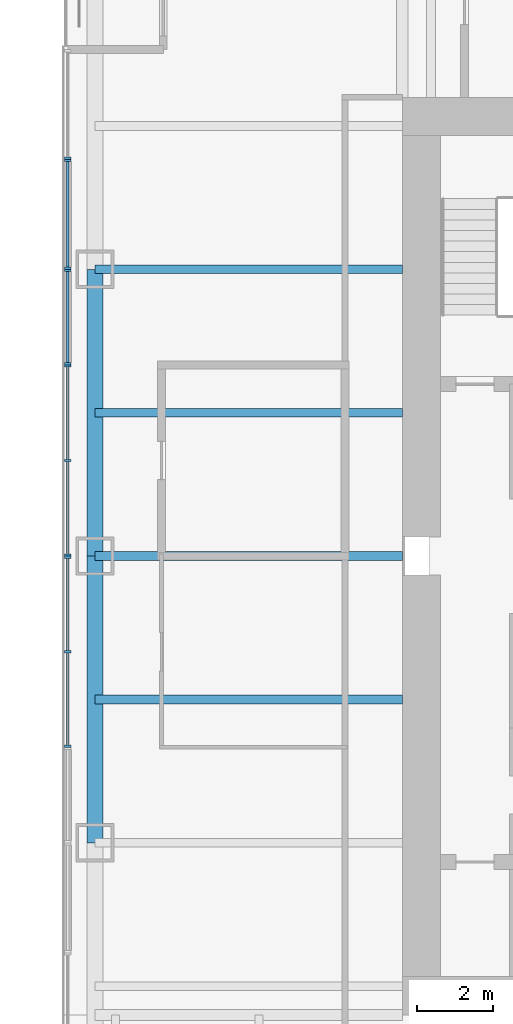
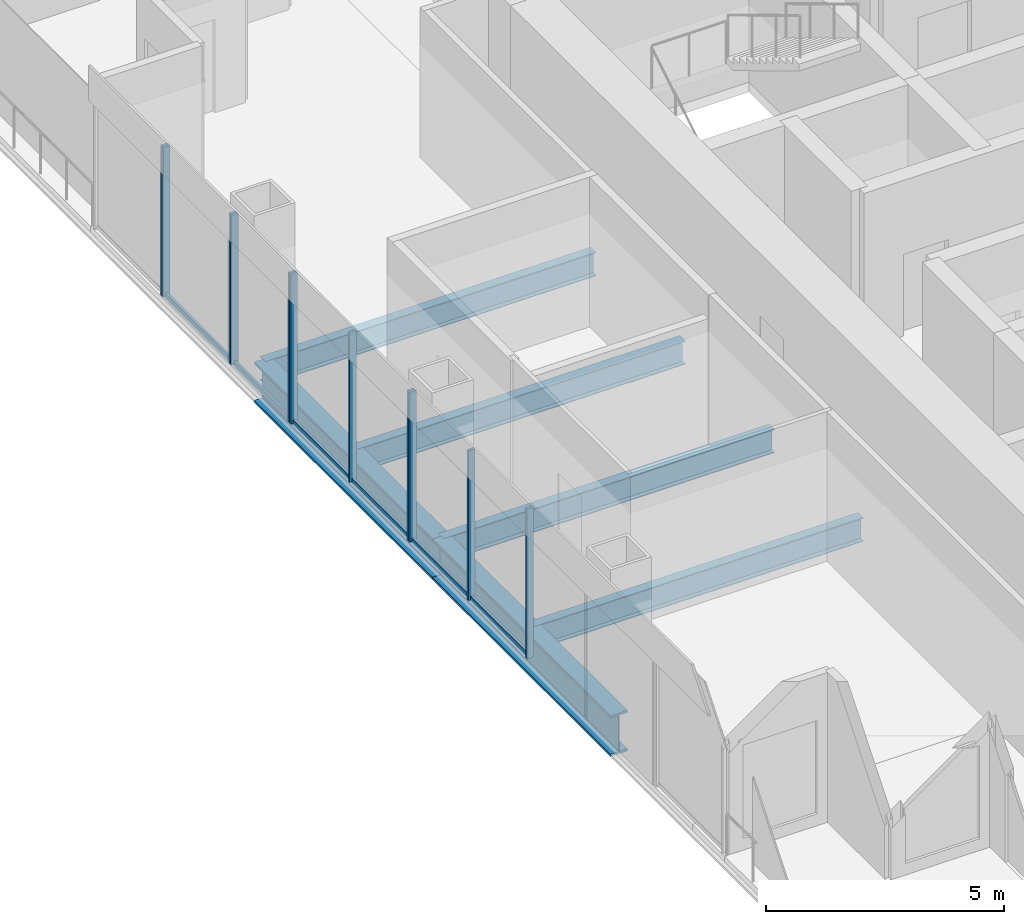
# One storey, part 4 of 14: 17 members, 6 beams, 5 elements without a shape of their own.
"""IFC4 building model written with IfcOpenShell, lengths in metres."""

from ifc_helpers import new_model, si_unit, direction, frame, origin, origin_2d, place, context, subcontext, project, spatial, rectangle, i_section, extrude, material, material_profile, profile_set, type_object, element, aggregate, save


model = new_model("IFC4")

# Units and contexts
model_context = context("Model", 3, precision=1e-05, world=origin(), true_north=direction((0.0, 1.0)))
body_context = subcontext(model_context, "Body", "Model", "MODEL_VIEW")
ifc_project = project(units=[si_unit("LENGTHUNIT", "METRE"), si_unit("AREAUNIT", "SQUARE_METRE"), si_unit("VOLUMEUNIT", "CUBIC_METRE"), si_unit("PLANEANGLEUNIT", "RADIAN"), si_unit("MASSUNIT", "GRAM", prefix="KILO")], contexts=[model_context])

# Site, building, storey
site_placement = place(None, origin())
site = spatial("IfcSite", under=ifc_project, at=site_placement, CompositionType="ELEMENT")
building_placement = place(site_placement, origin())
building = spatial("IfcBuilding", under=site, at=building_placement, Name="Tarangal Relay Tower", CompositionType="ELEMENT")
storey_placement = place(building_placement, frame((0.0, 0.0, 307.89990234375)))
storey = spatial("IfcBuildingStorey", under=building, at=storey_placement, Name="L68", CompositionType="ELEMENT", Elevation=307.89990234375)

# Beams
ifc_material_1 = material(Name="Steel ASTM A992", Category="steel")
ifc_material_profile_1 = material_profile(ifc_material_1, i_section(OverallWidth=0.41162109375, OverallDepth=1.049072265625, WebThickness=0.033935546875, FlangeThickness=0.059814453125, at=origin_2d()), Name="W40X431")
ifc_profile_set_1 = profile_set([ifc_material_profile_1], Name="Steel ASTM A992")
beam_type_1 = type_object("IfcBeamType", Name="Edge girder W40X431", PredefinedType="SPANDREL", material=ifc_profile_set_1)
for number, where, z_axis, x_axis, name in (
    (1, (-20.0400390625, -7.5, -0.67431640625), (0.0, 1.0, 0.0), (-1.0, 0.0, 0.0), "Edge girder EG1 W L68"),
    (2, (-20.0400390625, 0.0, -0.67431640625), (0.0, 1.0, 0.0), (-1.0, 0.0, 0.0), "Edge girder EG1 W L68"),
):
    element("IfcBeam", number, at=place(storey_placement, frame(where, z_axis=z_axis, x_axis=x_axis)), inside=storey, type_object=beam_type_1, Name=name, PredefinedType="SPANDREL", context=body_context, shape_type="SweptSolid", body=[
        extrude(i_section(OverallWidth=0.41162109375, OverallDepth=1.049072265625, WebThickness=0.033935546875, FlangeThickness=0.059814453125, at=origin_2d()), origin(), (0.0, 0.0, 1.0), 7.5),
    ])
ifc_material_profile_2 = material_profile(ifc_material_1, i_section(OverallWidth=0.228271484375, OverallDepth=0.607177734375, WebThickness=0.01123046875, FlangeThickness=0.017333984375, at=origin_2d()), Name="W24X76")
ifc_profile_set_2 = profile_set([ifc_material_profile_2], Name="Steel ASTM A992")
beam_type_2 = type_object("IfcBeamType", Name="Floor beam W24X76", PredefinedType="BEAM", material=ifc_profile_set_2)
for number, where, z_axis, x_axis, name in (
    (3, (-12.0, -3.75, -0.453369140625), (-1.0, 0.0, 0.0), (0.0, -1.0, 0.0), "Floor beam RB5 W L68"),
    (4, (-12.0, 0.0, -0.453369140625), (-1.0, 0.0, 0.0), (0.0, -1.0, 0.0), "Floor beam RB5 W L68"),
    (5, (-12.0, 3.75, -0.453369140625), (-1.0, 0.0, 0.0), (0.0, -1.0, 0.0), "Floor beam RB5 W L68"),
    (6, (-12.0, 7.5, -0.453369140625), (-1.0, 0.0, 0.0), (0.0, -1.0, 0.0), "Floor beam RB5 W L68"),
):
    element("IfcBeam", number, at=place(storey_placement, frame(where, z_axis=z_axis, x_axis=x_axis)), inside=storey, type_object=beam_type_2, Name=name, PredefinedType="BEAM", context=body_context, shape_type="SweptSolid", body=[
        extrude(i_section(OverallWidth=0.228271484375, OverallDepth=0.607177734375, WebThickness=0.01123046875, FlangeThickness=0.017333984375, at=origin_2d()), origin(), (0.0, 0.0, 1.0), 8.0400390625),
    ])

# Curtain wall, members
ifc_material_2 = material(Name="Unitised curtain wall, dark glass and black aluminium", Category="aluminium")
curtain_wall_type_1 = type_object("IfcCurtainWallType", Name="Curtain wall CW-B", PredefinedType="USERDEFINED", material=ifc_material_2)
curtain_wall_1_placement = place(storey_placement, origin())
curtain_wall_1 = element("IfcCurtainWall", 7, at=curtain_wall_1_placement, inside=storey, type_object=curtain_wall_type_1, Name="Curtain wall CW-B W facade L68", ObjectType="UNITISED CURTAIN WALL", PredefinedType="USERDEFINED")
ifc_material_3 = material(Name="Black anodised aluminium mullion", Category="aluminium")
ifc_material_profile_3 = material_profile(ifc_material_3, rectangle(XDim=0.159912109375, YDim=0.06005859375, at=origin_2d()), Name="CW-BM 60X160")
ifc_profile_set_3 = profile_set([ifc_material_profile_3], Name="Black anodised aluminium mullion")
member_type_1 = type_object("IfcMemberType", Name="Mullion CW-B 60 x 160", PredefinedType="MULLION", material=ifc_profile_set_3)
member_1_placement = place(storey_placement, frame((-20.75, -4.969970703125, 0.0), z_axis=(0.0, 0.0, 1.0), x_axis=(-1.0, 0.0, 0.0)))
member_1 = element("IfcMember", 8, at=member_1_placement, type_object=member_type_1, Name="CW-B mullion 1", PredefinedType="MULLION", context=body_context, shape_type="SweptSolid", body=[
    extrude(rectangle(XDim=0.159912109375, YDim=0.06005859375, at=origin_2d()), origin(), (0.0, 0.0, 1.0), 3.85009765625),
])
member_2_placement = place(storey_placement, frame((-20.75, -2.5, 0.0), z_axis=(0.0, 0.0, 1.0), x_axis=(-1.0, 0.0, 0.0)))
member_2 = element("IfcMember", 9, at=member_2_placement, type_object=member_type_1, Name="CW-B mullion 2", PredefinedType="MULLION", context=body_context, shape_type="SweptSolid", body=[
    extrude(rectangle(XDim=0.159912109375, YDim=0.06005859375, at=origin_2d()), origin(), (0.0, 0.0, 1.0), 3.85009765625),
])
member_3_placement = place(storey_placement, frame((-20.75, -0.030029296875, 0.0), z_axis=(0.0, 0.0, 1.0), x_axis=(-1.0, 0.0, 0.0)))
member_3 = element("IfcMember", 10, at=member_3_placement, type_object=member_type_1, Name="CW-B mullion 3", PredefinedType="MULLION", context=body_context, shape_type="SweptSolid", body=[
    extrude(rectangle(XDim=0.159912109375, YDim=0.06005859375, at=origin_2d()), origin(), (0.0, 0.0, 1.0), 3.85009765625),
])

curtain_wall_2_placement = place(storey_placement, origin())
curtain_wall_2 = element("IfcCurtainWall", 11, at=curtain_wall_2_placement, inside=storey, type_object=curtain_wall_type_1, Name="Curtain wall CW-B W facade L68", ObjectType="UNITISED CURTAIN WALL", PredefinedType="USERDEFINED")
member_4_placement = place(storey_placement, frame((-20.75, 0.030029296875, 0.0), z_axis=(0.0, 0.0, 1.0), x_axis=(-1.0, 0.0, 0.0)))
member_4 = element("IfcMember", 12, at=member_4_placement, type_object=member_type_1, Name="CW-B mullion 1", PredefinedType="MULLION", context=body_context, shape_type="SweptSolid", body=[
    extrude(rectangle(XDim=0.159912109375, YDim=0.06005859375, at=origin_2d()), origin(), (0.0, 0.0, 1.0), 3.85009765625),
])
member_5_placement = place(storey_placement, frame((-20.75, 2.5, 0.0), z_axis=(0.0, 0.0, 1.0), x_axis=(-1.0, 0.0, 0.0)))
member_5 = element("IfcMember", 13, at=member_5_placement, type_object=member_type_1, Name="CW-B mullion 2", PredefinedType="MULLION", context=body_context, shape_type="SweptSolid", body=[
    extrude(rectangle(XDim=0.159912109375, YDim=0.06005859375, at=origin_2d()), origin(), (0.0, 0.0, 1.0), 3.85009765625),
])
member_6_placement = place(storey_placement, frame((-20.75, 4.969970703125, 0.0), z_axis=(0.0, 0.0, 1.0), x_axis=(-1.0, 0.0, 0.0)))
member_6 = element("IfcMember", 14, at=member_6_placement, type_object=member_type_1, Name="CW-B mullion 3", PredefinedType="MULLION", context=body_context, shape_type="SweptSolid", body=[
    extrude(rectangle(XDim=0.159912109375, YDim=0.06005859375, at=origin_2d()), origin(), (0.0, 0.0, 1.0), 3.85009765625),
])

# Curtain wall, member
curtain_wall_3_placement = place(storey_placement, origin())
curtain_wall_3 = element("IfcCurtainWall", 15, at=curtain_wall_3_placement, inside=storey, type_object=curtain_wall_type_1, Name="Curtain wall CW-B W facade L68", ObjectType="UNITISED CURTAIN WALL", PredefinedType="USERDEFINED")
member_7_placement = place(storey_placement, frame((-20.75, 10.405029296875, 0.0), z_axis=(0.0, 0.0, 1.0), x_axis=(-1.0, 0.0, 0.0)))
member_7 = element("IfcMember", 16, at=member_7_placement, type_object=member_type_1, Name="CW-B mullion 1", PredefinedType="MULLION", context=body_context, shape_type="SweptSolid", body=[
    extrude(rectangle(XDim=0.159912109375, YDim=0.06005859375, at=origin_2d()), origin(), (0.0, 0.0, 1.0), 3.85009765625),
])
aggregate(curtain_wall_3, [member_7])

# Curtain wall, members
ifc_material_4 = material(Name="Unitised curtain wall frame, black aluminium, with metal clad infill walls", Category="aluminium")
curtain_wall_type_2 = type_object("IfcCurtainWallType", Name="Curtain wall CW-BO", PredefinedType="USERDEFINED", material=ifc_material_4)
curtain_wall_4_placement = place(storey_placement, origin())
curtain_wall_4 = element("IfcCurtainWall", 17, at=curtain_wall_4_placement, inside=storey, type_object=curtain_wall_type_2, Name="Curtain wall CW-BO W facade L68", ObjectType="UNITISED CURTAIN WALL", PredefinedType="USERDEFINED")
ifc_material_profile_4 = material_profile(ifc_material_3, rectangle(XDim=0.159912109375, YDim=0.06005859375, at=origin_2d()), Name="CW-BOM 60X160")
ifc_profile_set_4 = profile_set([ifc_material_profile_4], Name="Black anodised aluminium mullion")
member_type_2 = type_object("IfcMemberType", Name="Mullion CW-BO 60 x 160", PredefinedType="MULLION", material=ifc_profile_set_4)
member_8_placement = place(storey_placement, frame((-20.75, 5.030029296875, 0.0), z_axis=(0.0, 0.0, 1.0), x_axis=(-1.0, 0.0, 0.0)))
member_8 = element("IfcMember", 18, at=member_8_placement, type_object=member_type_2, Name="CW-BO mullion 1", PredefinedType="MULLION", context=body_context, shape_type="SweptSolid", body=[
    extrude(rectangle(XDim=0.159912109375, YDim=0.06005859375, at=origin_2d()), origin(), (0.0, 0.0, 1.0), 3.85009765625),
])
member_9_placement = place(storey_placement, frame((-20.75, 7.469970703125, 0.0), z_axis=(0.0, 0.0, 1.0), x_axis=(-1.0, 0.0, 0.0)))
member_9 = element("IfcMember", 19, at=member_9_placement, type_object=member_type_2, Name="CW-BO mullion 2", PredefinedType="MULLION", context=body_context, shape_type="SweptSolid", body=[
    extrude(rectangle(XDim=0.159912109375, YDim=0.06005859375, at=origin_2d()), origin(), (0.0, 0.0, 1.0), 3.85009765625),
])

curtain_wall_5_placement = place(storey_placement, origin())
curtain_wall_5 = element("IfcCurtainWall", 20, at=curtain_wall_5_placement, inside=storey, type_object=curtain_wall_type_2, Name="Curtain wall CW-BO W facade L68", ObjectType="UNITISED CURTAIN WALL", PredefinedType="USERDEFINED")
member_10_placement = place(storey_placement, frame((-20.75, 7.530029296875, 0.0), z_axis=(0.0, 0.0, 1.0), x_axis=(-1.0, 0.0, 0.0)))
member_10 = element("IfcMember", 21, at=member_10_placement, type_object=member_type_2, Name="CW-BO mullion 1", PredefinedType="MULLION", context=body_context, shape_type="SweptSolid", body=[
    extrude(rectangle(XDim=0.159912109375, YDim=0.06005859375, at=origin_2d()), origin(), (0.0, 0.0, 1.0), 3.85009765625),
])
member_11_placement = place(storey_placement, frame((-20.75, 10.344970703125, 0.0), z_axis=(0.0, 0.0, 1.0), x_axis=(-1.0, 0.0, 0.0)))
member_11 = element("IfcMember", 22, at=member_11_placement, type_object=member_type_2, Name="CW-BO mullion 2", PredefinedType="MULLION", context=body_context, shape_type="SweptSolid", body=[
    extrude(rectangle(XDim=0.159912109375, YDim=0.06005859375, at=origin_2d()), origin(), (0.0, 0.0, 1.0), 3.85009765625),
])

# Member
ifc_material_5 = material(Name="Black anodised aluminium transom", Category="aluminium")
ifc_material_profile_5 = material_profile(ifc_material_5, rectangle(XDim=0.06005859375, YDim=0.1298828125, at=origin_2d()), Name="CW-BT 60X130")
ifc_profile_set_5 = profile_set([ifc_material_profile_5], Name="Black anodised aluminium transom")
member_type_3 = type_object("IfcMemberType", Name="Transom CW-B 60 x 130", PredefinedType="USERDEFINED", material=ifc_profile_set_5)
member_12_placement = place(storey_placement, frame((-20.75, -4.93994140625, 0.030029296875), z_axis=(0.0, 1.0, 0.0), x_axis=(-1.0, 0.0, 0.0)))
member_12 = element("IfcMember", 23, at=member_12_placement, type_object=member_type_3, Name="CW-B transom 1.1", ObjectType="TRANSOM", PredefinedType="USERDEFINED", context=body_context, shape_type="SweptSolid", body=[
    extrude(rectangle(XDim=0.06005859375, YDim=0.1298828125, at=origin_2d()), origin(), (0.0, 0.0, 1.0), 2.409912109375),
])

member_13_placement = place(storey_placement, frame((-20.75, -2.469970703125, 0.030029296875), z_axis=(0.0, 1.0, 0.0), x_axis=(-1.0, 0.0, 0.0)))
member_13 = element("IfcMember", 24, at=member_13_placement, type_object=member_type_3, Name="CW-B transom 2.1", ObjectType="TRANSOM", PredefinedType="USERDEFINED", context=body_context, shape_type="SweptSolid", body=[
    extrude(rectangle(XDim=0.06005859375, YDim=0.1298828125, at=origin_2d()), origin(), (0.0, 0.0, 1.0), 2.409912109375),
])

aggregate(curtain_wall_1, [member_1, member_2, member_3, member_12, member_13])

member_14_placement = place(storey_placement, frame((-20.75, 0.06005859375, 0.030029296875), z_axis=(0.0, 1.0, 0.0), x_axis=(-1.0, 0.0, 0.0)))
member_14 = element("IfcMember", 25, at=member_14_placement, type_object=member_type_3, Name="CW-B transom 1.1", ObjectType="TRANSOM", PredefinedType="USERDEFINED", context=body_context, shape_type="SweptSolid", body=[
    extrude(rectangle(XDim=0.06005859375, YDim=0.1298828125, at=origin_2d()), origin(), (0.0, 0.0, 1.0), 2.409912109375),
])

member_15_placement = place(storey_placement, frame((-20.75, 2.530029296875, 0.030029296875), z_axis=(0.0, 1.0, 0.0), x_axis=(-1.0, 0.0, 0.0)))
member_15 = element("IfcMember", 26, at=member_15_placement, type_object=member_type_3, Name="CW-B transom 2.1", ObjectType="TRANSOM", PredefinedType="USERDEFINED", context=body_context, shape_type="SweptSolid", body=[
    extrude(rectangle(XDim=0.06005859375, YDim=0.1298828125, at=origin_2d()), origin(), (0.0, 0.0, 1.0), 2.409912109375),
])

aggregate(curtain_wall_2, [member_4, member_5, member_6, member_14, member_15])

ifc_material_profile_6 = material_profile(ifc_material_5, rectangle(XDim=0.06005859375, YDim=0.1298828125, at=origin_2d()), Name="CW-BOT 60X130")
ifc_profile_set_6 = profile_set([ifc_material_profile_6], Name="Black anodised aluminium transom")
member_type_4 = type_object("IfcMemberType", Name="Transom CW-BO 60 x 130", PredefinedType="USERDEFINED", material=ifc_profile_set_6)
member_16_placement = place(storey_placement, frame((-20.75, 5.06005859375, 0.030029296875), z_axis=(0.0, 1.0, 0.0), x_axis=(-1.0, 0.0, 0.0)))
member_16 = element("IfcMember", 27, at=member_16_placement, type_object=member_type_4, Name="CW-BO transom 1.1", ObjectType="TRANSOM", PredefinedType="USERDEFINED", context=body_context, shape_type="SweptSolid", body=[
    extrude(rectangle(XDim=0.06005859375, YDim=0.1298828125, at=origin_2d()), origin(), (0.0, 0.0, 1.0), 2.3798828125),
])

aggregate(curtain_wall_4, [member_8, member_9, member_16])

member_17_placement = place(storey_placement, frame((-20.75, 7.56005859375, 0.030029296875), z_axis=(0.0, 1.0, 0.0), x_axis=(-1.0, 0.0, 0.0)))
member_17 = element("IfcMember", 28, at=member_17_placement, type_object=member_type_4, Name="CW-BO transom 1.1", ObjectType="TRANSOM", PredefinedType="USERDEFINED", context=body_context, shape_type="SweptSolid", body=[
    extrude(rectangle(XDim=0.06005859375, YDim=0.1298828125, at=origin_2d()), origin(), (0.0, 0.0, 1.0), 2.7548828125),
])

aggregate(curtain_wall_5, [member_10, member_11, member_17])

save(model, "model.ifc")
